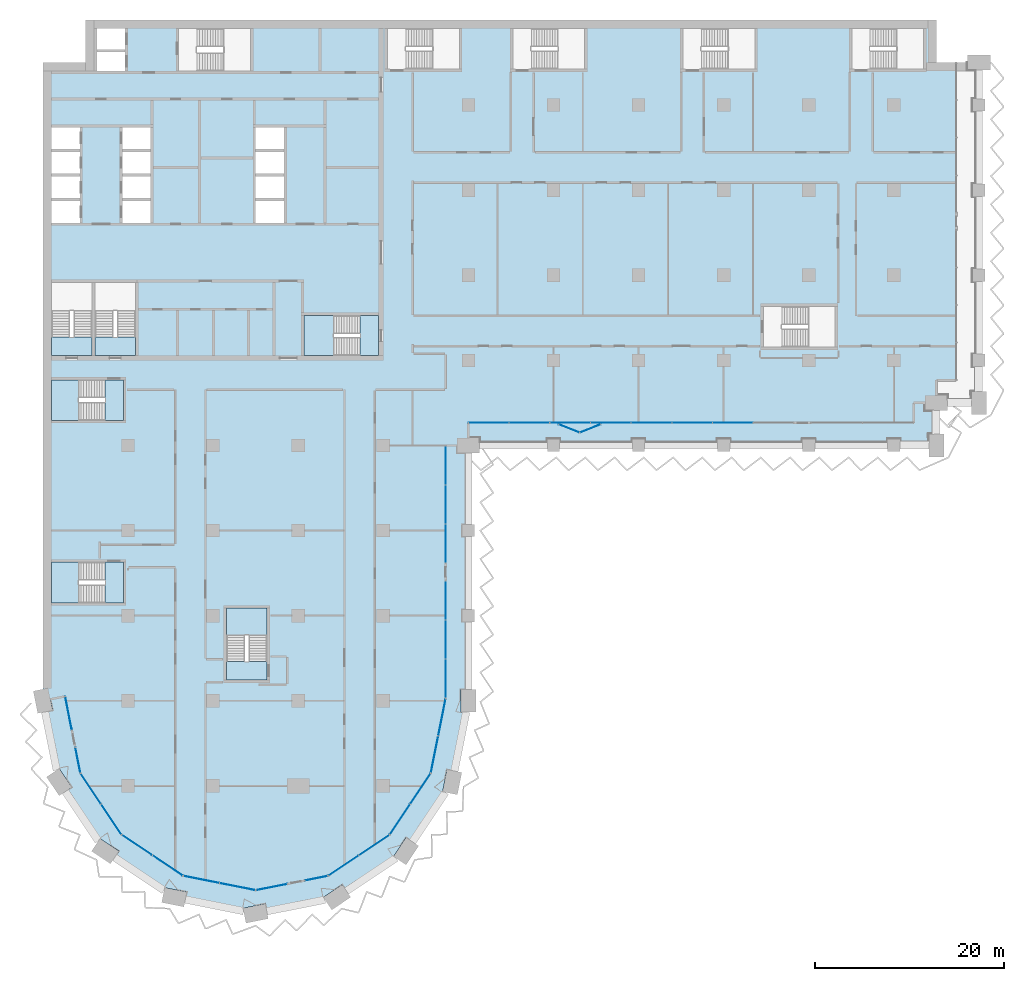
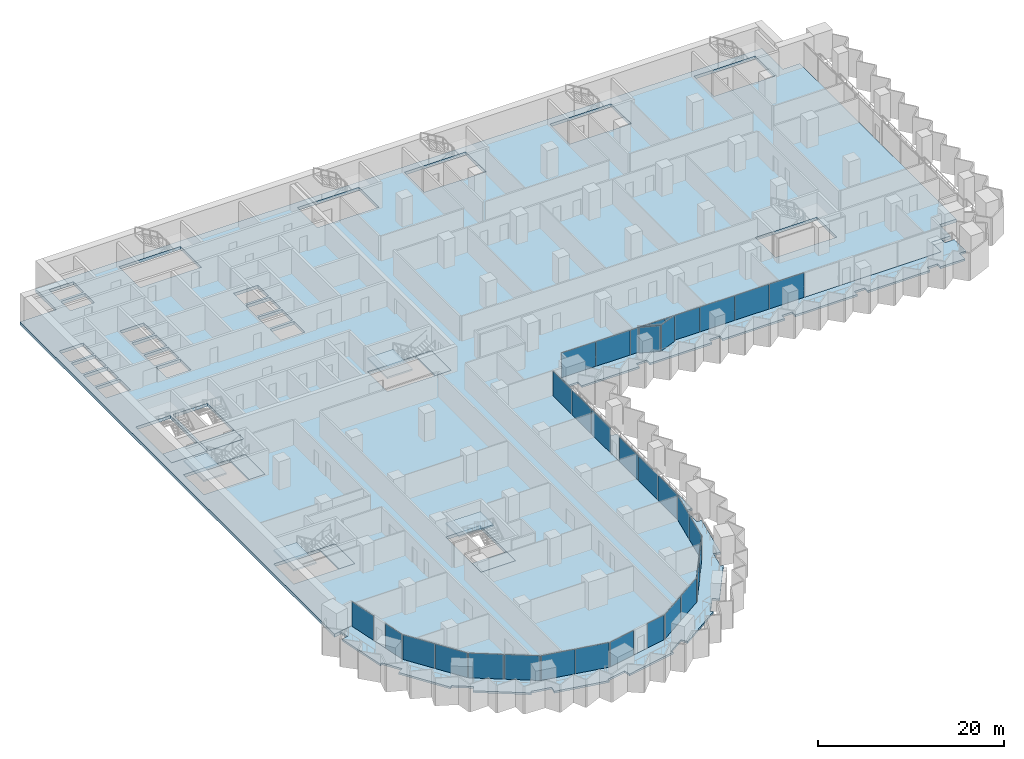
# One storey, part 8 of 28: 31 plates, 13 slabs, 19 elements without a shape of their own.
"""IFC4 building model written with IfcOpenShell, lengths in metres."""

from ifc_helpers import new_model, si_unit, direction, frame, origin, origin_2d, place, context, subcontext, project, spatial, polyline, rectangle, outline, extrude, material, layer, layer_set, type_object, element, aggregate, save


model = new_model("IFC4")

# Units and contexts
model_context = context("Model", 3, precision=1e-05, world=origin(), true_north=direction((0.0, 1.0)))
body_context = subcontext(model_context, "Body", "Model", "MODEL_VIEW")
ifc_project = project(units=[si_unit("LENGTHUNIT", "METRE"), si_unit("AREAUNIT", "SQUARE_METRE"), si_unit("VOLUMEUNIT", "CUBIC_METRE"), si_unit("PLANEANGLEUNIT", "RADIAN"), si_unit("MASSUNIT", "GRAM", prefix="KILO")], contexts=[model_context])

# Site, building, storey
site_placement = place(None, origin())
site = spatial("IfcSite", under=ifc_project, at=site_placement, CompositionType="ELEMENT")
building_placement = place(site_placement, origin())
building = spatial("IfcBuilding", under=site, at=building_placement, Name="Hunhe Ridgeline Campus", CompositionType="ELEMENT")
storey_placement = place(building_placement, frame((0.0, 0.0, 39.5)))
storey = spatial("IfcBuildingStorey", under=building, at=storey_placement, Name="L08", CompositionType="ELEMENT", Elevation=39.5)

# Curtain wall, plate
ifc_material_1 = material(Name="Aluminium 6063", Category="aluminium")
curtain_wall_type_1 = type_object("IfcCurtainWallType", Name="Curtain wall CW-5", PredefinedType="NOTDEFINED", material=ifc_material_1)
curtain_wall_1_placement = place(storey_placement, origin())
curtain_wall_1 = element("IfcCurtainWall", 1, at=curtain_wall_1_placement, inside=storey, type_object=curtain_wall_type_1, Name="Curtain wall 01", PredefinedType="NOTDEFINED")
ifc_material_2 = material(Name="Low-e laminated glass", Category="glass")
ifc_layer_1 = layer(ifc_material_2, 0.028076171875)
ifc_layer_set_1 = layer_set([ifc_layer_1], Name="Curtain wall glass panel 28 low-e laminated")
plate_type = type_object("IfcPlateType", Name="Curtain wall glass panel 28 low-e laminated", PredefinedType="CURTAIN_PANEL", material=ifc_layer_set_1)
plate_1_placement = place(storey_placement, frame((2.7158203125, 25.65380859375, 0.0), z_axis=(0.0, 0.0, 1.0), x_axis=(0.195095326561, -0.980784284924, 0.0)))
plate_1 = element("IfcPlate", 2, at=plate_1_placement, type_object=plate_type, Name="CW-5 panel 1", PredefinedType="CURTAIN_PANEL", context=body_context, shape_type="SweptSolid", body=[
    extrude(rectangle(XDim=3.560791015625, YDim=0.028076171875, at=origin_2d()), origin(), (0.0, 0.0, 1.0), 3.22998046875),
])
aggregate(curtain_wall_1, [plate_1])

curtain_wall_2_placement = place(storey_placement, origin())
curtain_wall_2 = element("IfcCurtainWall", 3, at=curtain_wall_2_placement, inside=storey, type_object=curtain_wall_type_1, Name="Curtain wall 02", PredefinedType="NOTDEFINED")
plate_2_placement = place(storey_placement, frame((3.701171875, 20.699951171875, 0.0), z_axis=(0.0, 0.0, 1.0), x_axis=(0.195095265587, -0.980784297053, 0.0)))
plate_2 = element("IfcPlate", 4, at=plate_2_placement, type_object=plate_type, Name="CW-5 panel 1", PredefinedType="CURTAIN_PANEL", context=body_context, shape_type="SweptSolid", body=[
    extrude(rectangle(XDim=2.660888671875, YDim=0.028076171875, at=origin_2d()), origin(), (0.0, 0.0, 1.0), 3.22998046875),
])
aggregate(curtain_wall_2, [plate_2])

# Curtain wall, plates
curtain_wall_3_placement = place(storey_placement, origin())
curtain_wall_3 = element("IfcCurtainWall", 5, at=curtain_wall_3_placement, inside=storey, type_object=curtain_wall_type_1, Name="Curtain wall 03", PredefinedType="NOTDEFINED")
plate_3_placement = place(storey_placement, frame((5.07080078125, 17.685546875, 0.0), z_axis=(0.0, 0.0, 1.0), x_axis=(0.555570274596, -0.831469584522, 0.0)))
plate_3 = element("IfcPlate", 6, at=plate_3_placement, type_object=plate_type, Name="CW-5 panel 1", PredefinedType="CURTAIN_PANEL", context=body_context, shape_type="SweptSolid", body=[
    extrude(rectangle(XDim=3.806884765625, YDim=0.028076171875, at=origin_2d()), origin(), (0.0, 0.0, 1.0), 3.22998046875),
])
plate_4_placement = place(storey_placement, frame((7.224609375, 14.4619140625, 0.0), z_axis=(0.0, 0.0, 1.0), x_axis=(0.555570274596, -0.831469584522, 0.0)))
plate_4 = element("IfcPlate", 7, at=plate_4_placement, type_object=plate_type, Name="CW-5 panel 2", PredefinedType="CURTAIN_PANEL", context=body_context, shape_type="SweptSolid", body=[
    extrude(rectangle(XDim=3.806884765625, YDim=0.028076171875, at=origin_2d()), origin(), (0.0, 0.0, 1.0), 3.22998046875),
])
aggregate(curtain_wall_3, [plate_3, plate_4])

curtain_wall_4_placement = place(storey_placement, origin())
curtain_wall_4 = element("IfcCurtainWall", 8, at=curtain_wall_4_placement, inside=storey, type_object=curtain_wall_type_1, Name="Curtain wall 04", PredefinedType="NOTDEFINED")
plate_5_placement = place(storey_placement, frame((9.9619140625, 11.724609375, 0.0), z_axis=(0.0, 0.0, 1.0), x_axis=(0.831469584522, -0.555570274596, 0.0)))
plate_5 = element("IfcPlate", 9, at=plate_5_placement, type_object=plate_type, Name="CW-5 panel 1", PredefinedType="CURTAIN_PANEL", context=body_context, shape_type="SweptSolid", body=[
    extrude(rectangle(XDim=3.806884765625, YDim=0.028076171875, at=origin_2d()), origin(), (0.0, 0.0, 1.0), 3.22998046875),
])
plate_6_placement = place(storey_placement, frame((13.185546875, 9.57080078125, 0.0), z_axis=(0.0, 0.0, 1.0), x_axis=(0.831469584522, -0.555570274596, 0.0)))
plate_6 = element("IfcPlate", 10, at=plate_6_placement, type_object=plate_type, Name="CW-5 panel 2", PredefinedType="CURTAIN_PANEL", context=body_context, shape_type="SweptSolid", body=[
    extrude(rectangle(XDim=3.806884765625, YDim=0.028076171875, at=origin_2d()), origin(), (0.0, 0.0, 1.0), 3.22998046875),
])
aggregate(curtain_wall_4, [plate_5, plate_6])

curtain_wall_5_placement = place(storey_placement, origin())
curtain_wall_5 = element("IfcCurtainWall", 11, at=curtain_wall_5_placement, inside=storey, type_object=curtain_wall_type_1, Name="Curtain wall 05", PredefinedType="NOTDEFINED")
plate_7_placement = place(storey_placement, frame((16.761962890625, 8.08935546875, 0.0), z_axis=(0.0, 0.0, 1.0), x_axis=(0.980785275326, -0.195090347539, 0.0)))
plate_7 = element("IfcPlate", 12, at=plate_7_placement, type_object=plate_type, Name="CW-5 panel 1", PredefinedType="CURTAIN_PANEL", context=body_context, shape_type="SweptSolid", body=[
    extrude(rectangle(XDim=3.806884765625, YDim=0.028076171875, at=origin_2d()), origin(), (0.0, 0.0, 1.0), 3.22998046875),
])
plate_8_placement = place(storey_placement, frame((20.564453125, 7.3330078125, 0.0), z_axis=(0.0, 0.0, 1.0), x_axis=(0.980785275326, -0.195090347539, 0.0)))
plate_8 = element("IfcPlate", 13, at=plate_8_placement, type_object=plate_type, Name="CW-5 panel 2", PredefinedType="CURTAIN_PANEL", context=body_context, shape_type="SweptSolid", body=[
    extrude(rectangle(XDim=3.806884765625, YDim=0.028076171875, at=origin_2d()), origin(), (0.0, 0.0, 1.0), 3.22998046875),
])
aggregate(curtain_wall_5, [plate_7, plate_8])

# Curtain wall, plate
curtain_wall_6_placement = place(storey_placement, origin())
curtain_wall_6 = element("IfcCurtainWall", 14, at=curtain_wall_6_placement, inside=storey, type_object=curtain_wall_type_1, Name="Curtain wall 06", PredefinedType="NOTDEFINED")
plate_9_placement = place(storey_placement, frame((24.19775390625, 7.28564453125, 0.0), z_axis=(0.0, 0.0, 1.0), x_axis=(0.980785270791, 0.19509037034, 0.0)))
plate_9 = element("IfcPlate", 15, at=plate_9_placement, type_object=plate_type, Name="CW-5 panel 1", PredefinedType="CURTAIN_PANEL", context=body_context, shape_type="SweptSolid", body=[
    extrude(rectangle(XDim=3.322021484375, YDim=0.028076171875, at=origin_2d()), origin(), (0.0, 0.0, 1.0), 3.22998046875),
])
aggregate(curtain_wall_6, [plate_9])

curtain_wall_7_placement = place(storey_placement, origin())
curtain_wall_7 = element("IfcCurtainWall", 16, at=curtain_wall_7_placement, inside=storey, type_object=curtain_wall_type_1, Name="Curtain wall 07", PredefinedType="NOTDEFINED")
plate_10_placement = place(storey_placement, frame((28.917236328125, 8.224609375, 0.0), z_axis=(0.0, 0.0, 1.0), x_axis=(0.980785242091, 0.195090514627, 0.0)))
plate_10 = element("IfcPlate", 17, at=plate_10_placement, type_object=plate_type, Name="CW-5 panel 1", PredefinedType="CURTAIN_PANEL", context=body_context, shape_type="SweptSolid", body=[
    extrude(rectangle(XDim=2.421875, YDim=0.028076171875, at=origin_2d()), origin(), (0.0, 0.0, 1.0), 3.22998046875),
])
aggregate(curtain_wall_7, [plate_10])

# Curtain wall, plates
curtain_wall_8_placement = place(storey_placement, origin())
curtain_wall_8 = element("IfcCurtainWall", 18, at=curtain_wall_8_placement, inside=storey, type_object=curtain_wall_type_1, Name="Curtain wall 08", PredefinedType="NOTDEFINED")
plate_11_placement = place(storey_placement, frame((31.814453125, 9.57080078125, 0.0), z_axis=(0.0, 0.0, 1.0), x_axis=(0.831469584522, 0.555570274596, 0.0)))
plate_11 = element("IfcPlate", 19, at=plate_11_placement, type_object=plate_type, Name="CW-5 panel 1", PredefinedType="CURTAIN_PANEL", context=body_context, shape_type="SweptSolid", body=[
    extrude(rectangle(XDim=3.806884765625, YDim=0.028076171875, at=origin_2d()), origin(), (0.0, 0.0, 1.0), 3.22998046875),
])
plate_12_placement = place(storey_placement, frame((35.0380859375, 11.724609375, 0.0), z_axis=(0.0, 0.0, 1.0), x_axis=(0.831469584522, 0.555570274596, 0.0)))
plate_12 = element("IfcPlate", 20, at=plate_12_placement, type_object=plate_type, Name="CW-5 panel 2", PredefinedType="CURTAIN_PANEL", context=body_context, shape_type="SweptSolid", body=[
    extrude(rectangle(XDim=3.806884765625, YDim=0.028076171875, at=origin_2d()), origin(), (0.0, 0.0, 1.0), 3.22998046875),
])
aggregate(curtain_wall_8, [plate_11, plate_12])

curtain_wall_9_placement = place(storey_placement, origin())
curtain_wall_9 = element("IfcCurtainWall", 21, at=curtain_wall_9_placement, inside=storey, type_object=curtain_wall_type_1, Name="Curtain wall 09", PredefinedType="NOTDEFINED")
plate_13_placement = place(storey_placement, frame((37.775390625, 14.4619140625, 0.0), z_axis=(0.0, 0.0, 1.0), x_axis=(0.555570274596, 0.831469584522, 0.0)))
plate_13 = element("IfcPlate", 22, at=plate_13_placement, type_object=plate_type, Name="CW-5 panel 1", PredefinedType="CURTAIN_PANEL", context=body_context, shape_type="SweptSolid", body=[
    extrude(rectangle(XDim=3.806884765625, YDim=0.028076171875, at=origin_2d()), origin(), (0.0, 0.0, 1.0), 3.22998046875),
])
plate_14_placement = place(storey_placement, frame((39.92919921875, 17.685546875, 0.0), z_axis=(0.0, 0.0, 1.0), x_axis=(0.555570274596, 0.831469584522, 0.0)))
plate_14 = element("IfcPlate", 23, at=plate_14_placement, type_object=plate_type, Name="CW-5 panel 2", PredefinedType="CURTAIN_PANEL", context=body_context, shape_type="SweptSolid", body=[
    extrude(rectangle(XDim=3.806884765625, YDim=0.028076171875, at=origin_2d()), origin(), (0.0, 0.0, 1.0), 3.22998046875),
])
aggregate(curtain_wall_9, [plate_13, plate_14])

curtain_wall_10_placement = place(storey_placement, origin())
curtain_wall_10 = element("IfcCurtainWall", 24, at=curtain_wall_10_placement, inside=storey, type_object=curtain_wall_type_1, Name="Curtain wall 10", PredefinedType="NOTDEFINED")
plate_15_placement = place(storey_placement, frame((41.42236328125, 21.321044921875, 0.0), z_axis=(0.0, 0.0, 1.0), x_axis=(0.195090299215, 0.980785284939, 0.0)))
plate_15 = element("IfcPlate", 25, at=plate_15_placement, type_object=plate_type, Name="CW-5 panel 1", PredefinedType="CURTAIN_PANEL", context=body_context, shape_type="SweptSolid", body=[
    extrude(rectangle(XDim=3.927490234375, YDim=0.028076171875, at=origin_2d()), origin(), (0.0, 0.0, 1.0), 3.22998046875),
])
plate_16_placement = place(storey_placement, frame((42.2021484375, 25.24169921875, 0.0), z_axis=(0.0, 0.0, 1.0), x_axis=(0.195090299215, 0.980785284939, 0.0)))
plate_16 = element("IfcPlate", 26, at=plate_16_placement, type_object=plate_type, Name="CW-5 panel 2", PredefinedType="CURTAIN_PANEL", context=body_context, shape_type="SweptSolid", body=[
    extrude(rectangle(XDim=3.927490234375, YDim=0.028076171875, at=origin_2d()), origin(), (0.0, 0.0, 1.0), 3.22998046875),
])
aggregate(curtain_wall_10, [plate_15, plate_16])

curtain_wall_type_2 = type_object("IfcCurtainWallType", Name="Curtain wall CW-1", PredefinedType="NOTDEFINED", material=ifc_material_1)
curtain_wall_11_placement = place(storey_placement, origin())
curtain_wall_11 = element("IfcCurtainWall", 27, at=curtain_wall_11_placement, inside=storey, type_object=curtain_wall_type_2, Name="Curtain wall 11", PredefinedType="NOTDEFINED")
plate_17_placement = place(storey_placement, frame((42.59912109375, 29.331787109375, 0.0), z_axis=(0.0, 0.0, 1.0), x_axis=(1.60239e-07, 1.0, 0.0)))
plate_17 = element("IfcPlate", 28, at=plate_17_placement, type_object=plate_type, Name="CW-1 panel 1", PredefinedType="CURTAIN_PANEL", context=body_context, shape_type="SweptSolid", body=[
    extrude(rectangle(XDim=4.070556640625, YDim=0.028076171875, at=origin_2d()), origin(), (0.0, 0.0, 1.0), 3.239990234375),
])
plate_18_placement = place(storey_placement, frame((42.59912109375, 33.477294921875, 0.0), z_axis=(0.0, 0.0, 1.0), x_axis=(1.60239e-07, 1.0, 0.0)))
plate_18 = element("IfcPlate", 29, at=plate_18_placement, type_object=plate_type, Name="CW-1 panel 2", PredefinedType="CURTAIN_PANEL", context=body_context, shape_type="SweptSolid", body=[
    extrude(rectangle(XDim=4.1005859375, YDim=0.028076171875, at=origin_2d()), origin(), (0.0, 0.0, 1.0), 3.239990234375),
])
plate_19_placement = place(storey_placement, frame((42.59912109375, 37.623046875, 0.0), z_axis=(0.0, 0.0, 1.0), x_axis=(1.60239e-07, 1.0, 0.0)))
plate_19 = element("IfcPlate", 30, at=plate_19_placement, type_object=plate_type, Name="CW-1 panel 3", PredefinedType="CURTAIN_PANEL", context=body_context, shape_type="SweptSolid", body=[
    extrude(rectangle(XDim=4.070556640625, YDim=0.028076171875, at=origin_2d()), origin(), (0.0, 0.0, 1.0), 3.239990234375),
])
aggregate(curtain_wall_11, [plate_17, plate_18, plate_19])

curtain_wall_12_placement = place(storey_placement, origin())
curtain_wall_12 = element("IfcCurtainWall", 31, at=curtain_wall_12_placement, inside=storey, type_object=curtain_wall_type_2, Name="Curtain wall 12", PredefinedType="NOTDEFINED")
plate_20_placement = place(storey_placement, frame((42.59912109375, 43.613525390625, 0.0), z_axis=(0.0, 0.0, 1.0), x_axis=(1.60239e-07, 1.0, 0.0)))
plate_20 = element("IfcPlate", 32, at=plate_20_placement, type_object=plate_type, Name="CW-1 panel 1", PredefinedType="CURTAIN_PANEL", context=body_context, shape_type="SweptSolid", body=[
    extrude(rectangle(XDim=4.070556640625, YDim=0.028076171875, at=origin_2d()), origin(), (0.0, 0.0, 1.0), 3.239990234375),
])
plate_21_placement = place(storey_placement, frame((42.59912109375, 47.75927734375, 0.0), z_axis=(0.0, 0.0, 1.0), x_axis=(1.60239e-07, 1.0, 0.0)))
plate_21 = element("IfcPlate", 33, at=plate_21_placement, type_object=plate_type, Name="CW-1 panel 2", PredefinedType="CURTAIN_PANEL", context=body_context, shape_type="SweptSolid", body=[
    extrude(rectangle(XDim=4.1005859375, YDim=0.028076171875, at=origin_2d()), origin(), (0.0, 0.0, 1.0), 3.239990234375),
])
plate_22_placement = place(storey_placement, frame((42.59912109375, 51.90478515625, 0.0), z_axis=(0.0, 0.0, 1.0), x_axis=(1.60239e-07, 1.0, 0.0)))
plate_22 = element("IfcPlate", 34, at=plate_22_placement, type_object=plate_type, Name="CW-1 panel 3", PredefinedType="CURTAIN_PANEL", context=body_context, shape_type="SweptSolid", body=[
    extrude(rectangle(XDim=4.070556640625, YDim=0.028076171875, at=origin_2d()), origin(), (0.0, 0.0, 1.0), 3.239990234375),
])
aggregate(curtain_wall_12, [plate_20, plate_21, plate_22])

curtain_wall_13_placement = place(storey_placement, origin())
curtain_wall_13 = element("IfcCurtainWall", 35, at=curtain_wall_13_placement, inside=storey, type_object=curtain_wall_type_2, Name="Curtain wall 13", PredefinedType="NOTDEFINED")
plate_23_placement = place(storey_placement, frame((47.166015625, 56.40087890625, 0.0), z_axis=(0.0, 0.0, 1.0), x_axis=(0.999999999994, 3.602063e-06, 0.0)))
plate_23 = element("IfcPlate", 36, at=plate_23_placement, type_object=plate_type, Name="CW-1 panel 1", PredefinedType="CURTAIN_PANEL", context=body_context, shape_type="SweptSolid", body=[
    extrude(rectangle(XDim=4.213134765625, YDim=0.028076171875, at=origin_2d()), origin(), (0.0, 0.0, 1.0), 3.239990234375),
])
plate_24_placement = place(storey_placement, frame((51.4541015625, 56.40087890625, 0.0), z_axis=(0.0, 0.0, 1.0), x_axis=(0.999999999994, 3.602063e-06, 0.0)))
plate_24 = element("IfcPlate", 37, at=plate_24_placement, type_object=plate_type, Name="CW-1 panel 2", PredefinedType="CURTAIN_PANEL", context=body_context, shape_type="SweptSolid", body=[
    extrude(rectangle(XDim=4.2431640625, YDim=0.028076171875, at=origin_2d()), origin(), (0.0, 0.0, 1.0), 3.239990234375),
])
plate_25_placement = place(storey_placement, frame((55.757080078125, 56.40087890625, 0.0), z_axis=(0.0, 0.0, 1.0), x_axis=(0.999999999994, 3.602063e-06, 0.0)))
plate_25 = element("IfcPlate", 38, at=plate_25_placement, type_object=plate_type, Name="CW-1 panel 3", PredefinedType="CURTAIN_PANEL", context=body_context, shape_type="SweptSolid", body=[
    extrude(rectangle(XDim=4.2431640625, YDim=0.028076171875, at=origin_2d()), origin(), (0.0, 0.0, 1.0), 3.239990234375),
])
plate_26_placement = place(storey_placement, frame((60.060302734375, 56.40087890625, 0.0), z_axis=(0.0, 0.0, 1.0), x_axis=(0.999999999994, 3.602063e-06, 0.0)))
plate_26 = element("IfcPlate", 39, at=plate_26_placement, type_object=plate_type, Name="CW-1 panel 4", PredefinedType="CURTAIN_PANEL", context=body_context, shape_type="SweptSolid", body=[
    extrude(rectangle(XDim=4.2431640625, YDim=0.028076171875, at=origin_2d()), origin(), (0.0, 0.0, 1.0), 3.239990234375),
])
plate_27_placement = place(storey_placement, frame((64.36328125, 56.40087890625, 0.0), z_axis=(0.0, 0.0, 1.0), x_axis=(0.999999999994, 3.602063e-06, 0.0)))
plate_27 = element("IfcPlate", 40, at=plate_27_placement, type_object=plate_type, Name="CW-1 panel 5", PredefinedType="CURTAIN_PANEL", context=body_context, shape_type="SweptSolid", body=[
    extrude(rectangle(XDim=4.2431640625, YDim=0.028076171875, at=origin_2d()), origin(), (0.0, 0.0, 1.0), 3.239990234375),
])
plate_28_placement = place(storey_placement, frame((68.66650390625, 56.40087890625, 0.0), z_axis=(0.0, 0.0, 1.0), x_axis=(0.999999999994, 3.602063e-06, 0.0)))
plate_28 = element("IfcPlate", 41, at=plate_28_placement, type_object=plate_type, Name="CW-1 panel 6", PredefinedType="CURTAIN_PANEL", context=body_context, shape_type="SweptSolid", body=[
    extrude(rectangle(XDim=4.2431640625, YDim=0.028076171875, at=origin_2d()), origin(), (0.0, 0.0, 1.0), 3.239990234375),
])
plate_29_placement = place(storey_placement, frame((72.969482421875, 56.40087890625, 0.0), z_axis=(0.0, 0.0, 1.0), x_axis=(0.999999999994, 3.602063e-06, 0.0)))
plate_29 = element("IfcPlate", 42, at=plate_29_placement, type_object=plate_type, Name="CW-1 panel 7", PredefinedType="CURTAIN_PANEL", context=body_context, shape_type="SweptSolid", body=[
    extrude(rectangle(XDim=4.2431640625, YDim=0.028076171875, at=origin_2d()), origin(), (0.0, 0.0, 1.0), 3.239990234375),
])
aggregate(curtain_wall_13, [plate_23, plate_24, plate_25, plate_26, plate_27, plate_28, plate_29])

# Curtain wall, plate
curtain_wall_type_3 = type_object("IfcCurtainWallType", Name="Curtain wall CW-2", PredefinedType="NOTDEFINED", material=ifc_material_1)
curtain_wall_14_placement = place(storey_placement, origin())
curtain_wall_14 = element("IfcCurtainWall", 43, at=curtain_wall_14_placement, inside=storey, type_object=curtain_wall_type_3, Name="Curtain wall B01a", PredefinedType="NOTDEFINED")
plate_30_placement = place(storey_placement, frame((55.6494140625, 55.80078125, 0.0), z_axis=(0.0, 0.0, 1.0), x_axis=(0.928477999997, -0.371387403557, 0.0)))
plate_30 = element("IfcPlate", 44, at=plate_30_placement, type_object=plate_type, Name="CW-2 panel 1", PredefinedType="CURTAIN_PANEL", context=body_context, shape_type="SweptSolid", body=[
    extrude(rectangle(XDim=2.30322265625, YDim=0.028076171875, at=origin_2d()), origin(), (0.0, 0.0, 1.0), 3.389892578125),
])
aggregate(curtain_wall_14, [plate_30])

curtain_wall_15_placement = place(storey_placement, origin())
curtain_wall_15 = element("IfcCurtainWall", 45, at=curtain_wall_15_placement, inside=storey, type_object=curtain_wall_type_3, Name="Curtain wall B01b", PredefinedType="NOTDEFINED")
plate_31_placement = place(storey_placement, frame((57.8994140625, 55.80078125, 0.0), z_axis=(0.0, 0.0, 1.0), x_axis=(0.928475381766, 0.371393949135, 0.0)))
plate_31 = element("IfcPlate", 46, at=plate_31_placement, type_object=plate_type, Name="CW-2 panel 1", PredefinedType="CURTAIN_PANEL", context=body_context, shape_type="SweptSolid", body=[
    extrude(rectangle(XDim=2.30322265625, YDim=0.028076171875, at=origin_2d()), origin(), (0.0, 0.0, 1.0), 3.389892578125),
])
aggregate(curtain_wall_15, [plate_31])

# Slabs
ifc_material_3 = material(Name="Concrete C40", Category="concrete")
ifc_layer_2 = layer(ifc_material_3, 0.39990234375)
ifc_layer_set_2 = layer_set([ifc_layer_2], Name="Floor slab 400 Concrete C40")
slab_type_1 = type_object("IfcSlabType", Name="Floor slab 400 Concrete C40", PredefinedType="FLOOR", material=ifc_layer_set_2)
slab_1_placement = place(storey_placement, frame((0.0, 0.0, -0.39990234375)))
element("IfcSlab", 47, at=slab_1_placement, inside=storey, type_object=slab_type_1, Name="Floor slab L08 1", PredefinedType="FLOOR", context=body_context, shape_type="SweptSolid", body=[
    extrude(outline(polyline([(4.5, 94.5), (0.0, 94.5), (0.0, 27.0009765625), (2.354736328125, 27.46875), (3.974365234375, 19.326416015625), (8.321044921875, 12.821044921875), (14.826416015625, 8.474365234375), (22.5, 6.947998046875), (30.173583984375, 8.474365234375), (36.678955078125, 12.821044921875), (41.025634765625, 19.326416015625), (42.59912109375, 27.236572265625), (42.59912109375, 54.0), (44.9990234375, 54.0009765625), (44.99951171875, 56.40087890625), (92.09912109375, 56.40087890625), (92.099365234375, 58.500732421875), (94.4990234375, 58.5009765625), (94.499267578125, 60.900634765625), (96.59912109375, 60.90087890625), (96.59912109375, 94.5), (94.5, 94.5), (94.5, 99.0), (4.5, 99.0), (4.5, 94.5)]), holes=[polyline([(93.14990234375, 93.800048828125), (93.14990234375, 98.10009765625), (85.550048828125, 98.10009765625), (85.550048828125, 93.800048828125), (93.14990234375, 93.800048828125)]), polyline([(76.199951171875, 68.699951171875), (76.199951171875, 64.39990234375), (83.800048828125, 64.39990234375), (83.800048828125, 68.699951171875), (76.199951171875, 68.699951171875)]), polyline([(75.300048828125, 98.10009765625), (67.699951171875, 98.10009765625), (67.699951171875, 93.800048828125), (75.300048828125, 93.800048828125), (75.300048828125, 98.10009765625)]), polyline([(49.699951171875, 98.10009765625), (49.699951171875, 93.800048828125), (57.300048828125, 93.800048828125), (57.300048828125, 98.10009765625), (49.699951171875, 98.10009765625)]), polyline([(36.449951171875, 93.800048828125), (44.050048828125, 93.800048828125), (44.050048828125, 98.10009765625), (36.449951171875, 98.10009765625), (36.449951171875, 93.800048828125)]), polyline([(35.5, 63.5), (35.5, 67.75), (27.60009765625, 67.75), (27.60009765625, 63.5), (35.5, 63.5)]), polyline([(25.5, 80.14990234375), (25.5, 82.449951171875), (22.5, 82.449951171875), (22.5, 80.14990234375), (25.5, 80.14990234375)]), polyline([(25.5, 79.85009765625), (22.5, 79.85009765625), (22.5, 77.550048828125), (25.5, 77.550048828125), (25.5, 79.85009765625)]), polyline([(22.5, 87.64990234375), (22.5, 85.35009765625), (25.5, 85.35009765625), (25.5, 87.64990234375), (22.5, 87.64990234375)]), polyline([(22.5, 82.75), (25.5, 82.75), (25.5, 85.050048828125), (22.5, 85.050048828125), (22.5, 82.75)]), polyline([(23.699951171875, 29.199951171875), (23.699951171875, 36.800048828125), (19.39990234375, 36.800048828125), (19.39990234375, 29.199951171875), (23.699951171875, 29.199951171875)]), polyline([(14.35009765625, 93.60009765625), (21.949951171875, 93.60009765625), (21.949951171875, 98.10009765625), (14.35009765625, 98.10009765625), (14.35009765625, 93.60009765625)]), polyline([(11.39990234375, 79.85009765625), (8.39990234375, 79.85009765625), (8.39990234375, 77.550048828125), (11.39990234375, 77.550048828125), (11.39990234375, 79.85009765625)]), polyline([(11.39990234375, 80.14990234375), (11.39990234375, 82.449951171875), (8.39990234375, 82.449951171875), (8.39990234375, 80.14990234375), (11.39990234375, 80.14990234375)]), polyline([(8.39990234375, 87.64990234375), (8.39990234375, 85.35009765625), (11.39990234375, 85.35009765625), (11.39990234375, 87.64990234375), (8.39990234375, 87.64990234375)]), polyline([(8.39990234375, 82.75), (11.39990234375, 82.75), (11.39990234375, 85.050048828125), (8.39990234375, 85.050048828125), (8.39990234375, 82.75)]), polyline([(9.800048828125, 71.25), (5.5, 71.25), (5.5, 63.5), (9.800048828125, 63.5), (9.800048828125, 71.25)]), polyline([(8.699951171875, 95.89990234375), (8.699951171875, 98.10009765625), (5.699951171875, 98.10009765625), (5.699951171875, 95.89990234375), (8.699951171875, 95.89990234375)]), polyline([(8.699951171875, 95.60009765625), (5.699951171875, 95.60009765625), (5.699951171875, 93.60009765625), (8.699951171875, 93.60009765625), (8.699951171875, 95.60009765625)]), polyline([(0.89990234375, 37.35009765625), (8.5, 37.35009765625), (8.5, 41.64990234375), (0.89990234375, 41.64990234375), (0.89990234375, 37.35009765625)]), polyline([(0.89990234375, 60.949951171875), (0.89990234375, 56.64990234375), (8.5, 56.64990234375), (8.5, 60.949951171875), (0.89990234375, 60.949951171875)]), polyline([(0.89990234375, 71.25), (0.89990234375, 63.5), (5.199951171875, 63.5), (5.199951171875, 71.25), (0.89990234375, 71.25)]), polyline([(3.89990234375, 80.14990234375), (3.89990234375, 82.449951171875), (0.89990234375, 82.449951171875), (0.89990234375, 80.14990234375), (3.89990234375, 80.14990234375)]), polyline([(3.89990234375, 79.85009765625), (0.89990234375, 79.85009765625), (0.89990234375, 77.550048828125), (3.89990234375, 77.550048828125), (3.89990234375, 79.85009765625)]), polyline([(0.89990234375, 87.64990234375), (0.89990234375, 85.35009765625), (3.89990234375, 85.35009765625), (3.89990234375, 87.64990234375), (0.89990234375, 87.64990234375)]), polyline([(0.89990234375, 82.75), (3.89990234375, 82.75), (3.89990234375, 85.050048828125), (0.89990234375, 85.050048828125), (0.89990234375, 82.75)])]), origin(), (0.0, 0.0, 1.0), 0.39990234375),
])
ifc_layer_3 = layer(ifc_material_3, 0.25)
ifc_layer_set_3 = layer_set([ifc_layer_3], Name="Loggia slab 250 Concrete C40")
slab_type_2 = type_object("IfcSlabType", Name="Loggia slab 250 Concrete C40", PredefinedType="FLOOR", material=ifc_layer_set_3)
slab_2_placement = place(storey_placement, frame((0.0, 0.0, -0.25)))
element("IfcSlab", 48, at=slab_2_placement, inside=storey, type_object=slab_type_2, Name="Loggia slab 1", PredefinedType="FLOOR", context=body_context, shape_type="SweptSolid", body=[
    extrude(outline(polyline([(30.173828125, 8.473388671875), (22.5, 6.947021484375), (14.826171875, 8.473388671875), (8.3203125, 12.8203125), (3.973388671875, 19.326171875), (2.35400390625, 27.46826171875), (0.78466796875, 27.156005859375), (1.018798828125, 25.979248046875), (0.234130859375, 25.822998046875), (1.459228515625, 19.66357421875), (1.711181640625, 19.831787109375), (3.044677734375, 17.83642578125), (2.37939453125, 17.391845703125), (5.868408203125, 12.170166015625), (6.036865234375, 12.421875), (8.0322265625, 11.088623046875), (7.587890625, 10.42333984375), (12.8095703125, 6.934326171875), (12.86865234375, 7.2314453125), (15.22265625, 6.76318359375), (15.066650390625, 5.978515625), (21.22607421875, 4.75341796875), (21.1669921875, 5.050537109375), (23.520751953125, 5.518798828125), (23.677001953125, 4.734130859375), (29.83642578125, 5.959228515625), (29.668212890625, 6.211181640625), (31.66357421875, 7.544677734375), (32.108154296875, 6.87939453125), (37.329833984375, 10.368408203125), (37.078125, 10.536865234375), (38.411376953125, 12.5322265625), (39.07666015625, 12.087890625), (42.565673828125, 17.3095703125), (42.2685546875, 17.36865234375), (42.73681640625, 19.72265625), (43.521484375, 19.566650390625), (44.76123046875, 25.800048828125), (44.199951171875, 25.800048828125), (44.199951171875, 28.199951171875), (45.0, 28.199951171875), (45.0, 35.35009765625), (44.35009765625, 35.35009765625), (44.35009765625, 36.64990234375), (45.0, 36.64990234375), (45.0, 44.35009765625), (44.35009765625, 44.35009765625), (44.35009765625, 45.64990234375), (45.0, 45.64990234375), (45.0, 53.199951171875), (43.800048828125, 53.199951171875), (43.800048828125, 54.0), (42.60009765625, 54.0), (42.60009765625, 27.236328125), (41.026611328125, 19.326171875), (36.6796875, 12.8203125), (30.173828125, 8.473388671875)])), origin(), (0.0, 0.0, 1.0), 0.25),
])
slab_3_placement = place(storey_placement, frame((0.0, 0.0, -0.25)))
element("IfcSlab", 49, at=slab_3_placement, inside=storey, type_object=slab_type_2, Name="Loggia slab 2", PredefinedType="FLOOR", context=body_context, shape_type="SweptSolid", body=[
    extrude(outline(polyline([(45.0, 54.800048828125), (46.199951171875, 54.800048828125), (46.199951171875, 54.0), (53.35009765625, 54.0), (53.35009765625, 54.64990234375), (54.64990234375, 54.64990234375), (54.64990234375, 54.0), (62.35009765625, 54.0), (62.35009765625, 54.64990234375), (63.64990234375, 54.64990234375), (63.64990234375, 54.0), (71.35009765625, 54.0), (71.35009765625, 54.64990234375), (72.64990234375, 54.64990234375), (72.64990234375, 54.0), (80.35009765625, 54.0), (80.35009765625, 54.64990234375), (81.64990234375, 54.64990234375), (81.64990234375, 54.0), (89.35009765625, 54.0), (89.35009765625, 54.64990234375), (90.64990234375, 54.64990234375), (90.64990234375, 54.0), (93.699951171875, 54.0), (93.699951171875, 55.199951171875), (94.5, 55.199951171875), (94.5, 57.699951171875), (93.300048828125, 57.699951171875), (93.300048828125, 58.5), (92.10009765625, 58.5), (92.10009765625, 56.39990234375), (45.0, 56.39990234375), (45.0, 54.800048828125)])), origin(), (0.0, 0.0, 1.0), 0.25),
])

# Stair, slab
stair_type = type_object("IfcStairType", Name="Reinforced concrete dog-leg stair 1950 Concrete C40", PredefinedType="HALF_TURN_STAIR", material=ifc_material_3)
stair_1_placement = place(storey_placement, origin())
stair_1 = element("IfcStair", 50, at=stair_1_placement, inside=storey, type_object=stair_type, Name="L08 S2", PredefinedType="HALF_TURN_STAIR")
ifc_layer_4 = layer(ifc_material_3, 0.199951171875)
ifc_layer_set_4 = layer_set([ifc_layer_4], Name="Reinforced concrete stair landing 200 Concrete C40")
slab_type_3 = type_object("IfcSlabType", Name="Reinforced concrete stair landing 200 Concrete C40", PredefinedType="LANDING", material=ifc_layer_set_4)
slab_4_placement = place(storey_placement, frame((0.0, 0.0, 1.64990234375)))
slab_4 = element("IfcSlab", 51, at=slab_4_placement, type_object=slab_type_3, Name="ST2 landing 1", PredefinedType="LANDING", context=body_context, shape_type="SweptSolid", body=[
    extrude(outline(polyline([(30.75, 67.75), (27.60009765625, 67.75), (27.60009765625, 63.5), (30.75, 63.5), (30.75, 67.75)])), origin(), (0.0, 0.0, 1.0), 0.2001953125),
])
aggregate(stair_1, [slab_4])

# Slabs
slab_5_placement = place(storey_placement, frame((0.0, 0.0, -0.199951171875)))
element("IfcSlab", 52, at=slab_5_placement, inside=storey, type_object=slab_type_3, Name="L08 stair S2 floor landing", PredefinedType="LANDING", context=body_context, shape_type="SweptSolid", body=[
    extrude(outline(polyline([(35.5, 67.75), (33.550048828125, 67.75), (33.550048828125, 63.5), (35.5, 63.5), (35.5, 67.75)])), origin(), (0.0, 0.0, 1.0), 0.199951171875),
])
slab_6_placement = place(storey_placement, frame((0.0, 0.0, -0.199951171875)))
element("IfcSlab", 53, at=slab_6_placement, inside=storey, type_object=slab_type_3, Name="L08 stair S3 floor landing", PredefinedType="LANDING", context=body_context, shape_type="SweptSolid", body=[
    extrude(outline(polyline([(5.199951171875, 63.5), (5.199951171875, 65.449951171875), (0.89990234375, 65.449951171875), (0.89990234375, 63.5), (5.199951171875, 63.5)])), origin(), (0.0, 0.0, 1.0), 0.199951171875),
])
slab_7_placement = place(storey_placement, frame((0.0, 0.0, -0.199951171875)))
element("IfcSlab", 54, at=slab_7_placement, inside=storey, type_object=slab_type_3, Name="L08 stair S4 floor landing", PredefinedType="LANDING", context=body_context, shape_type="SweptSolid", body=[
    extrude(outline(polyline([(9.800048828125, 63.5), (9.800048828125, 65.449951171875), (5.5, 65.449951171875), (5.5, 63.5), (9.800048828125, 63.5)])), origin(), (0.0, 0.0, 1.0), 0.199951171875),
])

# Stair, slab
stair_2_placement = place(storey_placement, origin())
stair_2 = element("IfcStair", 55, at=stair_2_placement, inside=storey, type_object=stair_type, Name="L08 W3", PredefinedType="HALF_TURN_STAIR")
slab_8_placement = place(storey_placement, frame((0.0, 0.0, 1.64990234375)))
slab_8 = element("IfcSlab", 56, at=slab_8_placement, type_object=slab_type_3, Name="ST9 landing 1", PredefinedType="LANDING", context=body_context, shape_type="SweptSolid", body=[
    extrude(outline(polyline([(23.699951171875, 33.949951171875), (23.699951171875, 36.800048828125), (19.39990234375, 36.800048828125), (19.39990234375, 33.949951171875), (23.699951171875, 33.949951171875)])), origin(), (0.0, 0.0, 1.0), 0.2001953125),
])
aggregate(stair_2, [slab_8])

# Slab
slab_9_placement = place(storey_placement, frame((0.0, 0.0, -0.199951171875)))
element("IfcSlab", 57, at=slab_9_placement, inside=storey, type_object=slab_type_3, Name="L08 stair W3 floor landing", PredefinedType="LANDING", context=body_context, shape_type="SweptSolid", body=[
    extrude(outline(polyline([(23.699951171875, 29.199951171875), (23.699951171875, 31.14990234375), (19.39990234375, 31.14990234375), (19.39990234375, 29.199951171875), (23.699951171875, 29.199951171875)])), origin(), (0.0, 0.0, 1.0), 0.199951171875),
])

# Stair, slab
stair_3_placement = place(storey_placement, origin())
stair_3 = element("IfcStair", 58, at=stair_3_placement, inside=storey, type_object=stair_type, Name="L08 W1", PredefinedType="HALF_TURN_STAIR")
slab_10_placement = place(storey_placement, frame((0.0, 0.0, 1.64990234375)))
slab_10 = element("IfcSlab", 59, at=slab_10_placement, type_object=slab_type_3, Name="ST11 landing 1", PredefinedType="LANDING", context=body_context, shape_type="SweptSolid", body=[
    extrude(outline(polyline([(3.75, 41.64990234375), (0.89990234375, 41.64990234375), (0.89990234375, 37.35009765625), (3.75, 37.35009765625), (3.75, 41.64990234375)])), origin(), (0.0, 0.0, 1.0), 0.2001953125),
])
aggregate(stair_3, [slab_10])

# Slab
slab_11_placement = place(storey_placement, frame((0.0, 0.0, -0.199951171875)))
element("IfcSlab", 60, at=slab_11_placement, inside=storey, type_object=slab_type_3, Name="L08 stair W1 floor landing", PredefinedType="LANDING", context=body_context, shape_type="SweptSolid", body=[
    extrude(outline(polyline([(8.5, 41.64990234375), (6.550048828125, 41.64990234375), (6.550048828125, 37.35009765625), (8.5, 37.35009765625), (8.5, 41.64990234375)])), origin(), (0.0, 0.0, 1.0), 0.199951171875),
])

# Stair, slab
stair_4_placement = place(storey_placement, origin())
stair_4 = element("IfcStair", 61, at=stair_4_placement, inside=storey, type_object=stair_type, Name="L08 W2", PredefinedType="HALF_TURN_STAIR")
slab_12_placement = place(storey_placement, frame((0.0, 0.0, 1.64990234375)))
slab_12 = element("IfcSlab", 62, at=slab_12_placement, type_object=slab_type_3, Name="ST12 landing 1", PredefinedType="LANDING", context=body_context, shape_type="SweptSolid", body=[
    extrude(outline(polyline([(3.75, 60.949951171875), (0.89990234375, 60.949951171875), (0.89990234375, 56.64990234375), (3.75, 56.64990234375), (3.75, 60.949951171875)])), origin(), (0.0, 0.0, 1.0), 0.2001953125),
])
aggregate(stair_4, [slab_12])

# Slab
slab_13_placement = place(storey_placement, frame((0.0, 0.0, -0.199951171875)))
element("IfcSlab", 63, at=slab_13_placement, inside=storey, type_object=slab_type_3, Name="L08 stair W2 floor landing", PredefinedType="LANDING", context=body_context, shape_type="SweptSolid", body=[
    extrude(outline(polyline([(8.5, 60.949951171875), (6.550048828125, 60.949951171875), (6.550048828125, 56.64990234375), (8.5, 56.64990234375), (8.5, 60.949951171875)])), origin(), (0.0, 0.0, 1.0), 0.199951171875),
])

save(model, "model.ifc")
